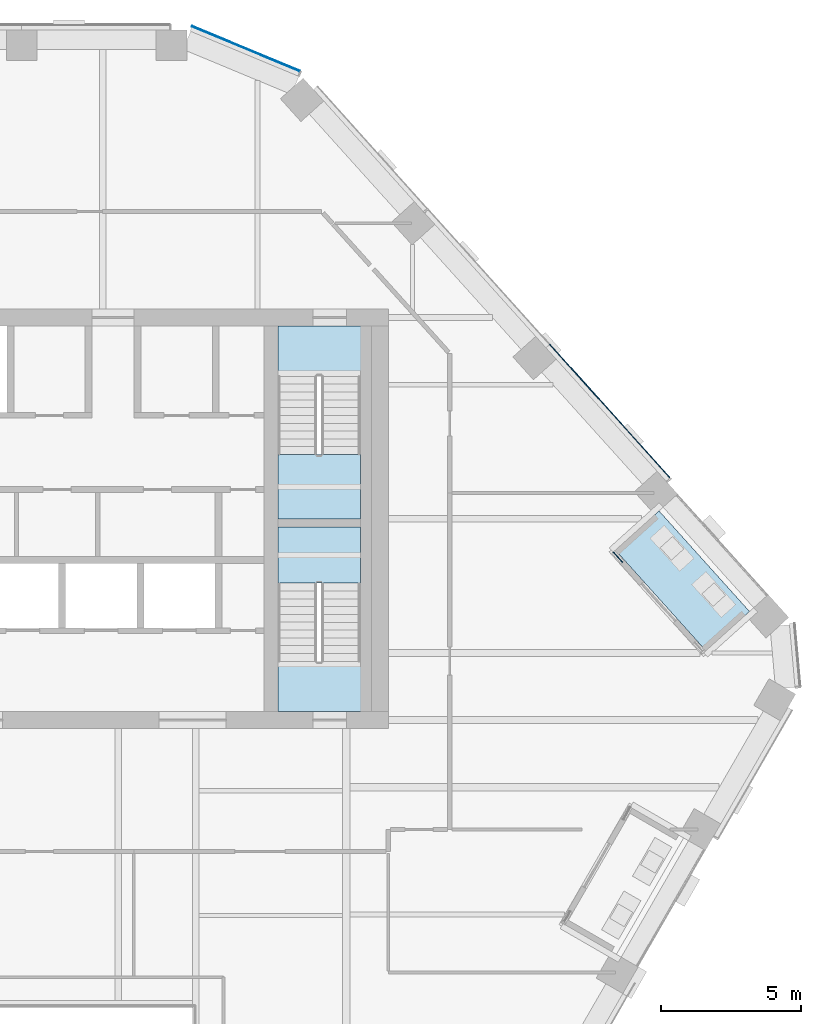
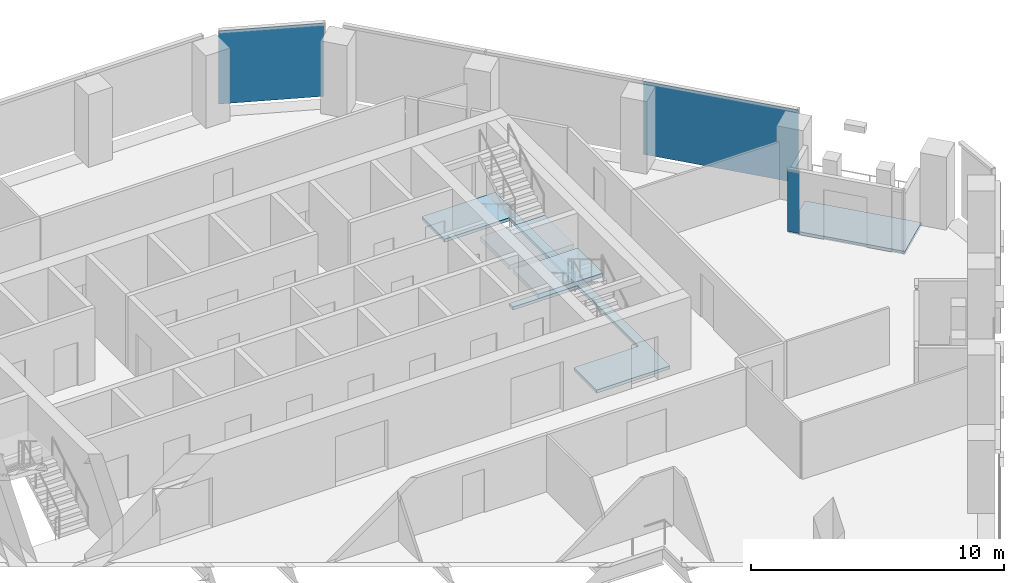
# One storey, part 15 of 25: 4 slabs, 3 plates, 5 elements without a shape of their own.
"""IFC4 building model written with IfcOpenShell, lengths in metres."""

import ifcopenshell
import ifcopenshell.guid

model = None  # the IFC model being written
_history = None  # IfcOwnerHistory: only IFC2X3 demands one
_inside = {}  # id of a spatial element -> (the spatial element, [elements in it])
_under = {}  # id of a project, library or spatial element -> (it, [spatial elements below it])
_declared = {}  # id of a project -> (the project, [libraries it declares])
_typed = {}  # id of a type object -> (the type object, [elements of that type])
_made_of = {}  # id of a material, layer set ... -> (it, [elements and type objects made of it])


def new_model(schema):
    """Start an empty IFC model of exactly this schema.

    Asked for "IFC4X3", IfcOpenShell would pick the latest addendum, in which some entities
    have other attributes; the version numbers below select the first issue.
    IFC2X3 requires an IfcOwnerHistory on every rooted entity: one is made here for all.
    """
    global model, _history
    if schema == "IFC4X3":
        model = ifcopenshell.file(schema_version=(4, 3, 0, 0))
    else:
        model = ifcopenshell.file(schema=schema)
    _inside.clear()
    _under.clear()
    _declared.clear()
    _typed.clear()
    _made_of.clear()
    _history = None
    if model.schema == "IFC2X3":
        org = make("IfcOrganization", Name="unknown")
        user = make(
            "IfcPersonAndOrganization",
            ThePerson=make("IfcPerson", FamilyName="unknown"),
            TheOrganization=org,
        )
        app = make(
            "IfcApplication",
            ApplicationDeveloper=org,
            Version="unknown",
            ApplicationFullName="unknown",
            ApplicationIdentifier="unknown",
        )
        _history = make(
            "IfcOwnerHistory",
            OwningUser=user,
            OwningApplication=app,
            ChangeAction="ADDED",
            CreationDate=0,
        )
    return model


def make(cls, **values):
    """One entity of the class cls with the attributes given. An attribute that is None is left unset."""
    return model.create_entity(
        cls, **{name: value for name, value in values.items() if value is not None}
    )


def rooted(cls, **values):
    """An entity with a GlobalId (a new one), such as an element, a storey or a relation."""
    return make(cls, GlobalId=ifcopenshell.guid.new(), OwnerHistory=_history, **values)


def si_unit(unit_type, name, prefix=None):
    """IfcSIUnit, for example si_unit("LENGTHUNIT", "METRE", prefix="MILLI")."""
    return make("IfcSIUnit", UnitType=unit_type, Prefix=prefix, Name=name)


def assignment(units):
    """IfcUnitAssignment: the units of a project."""
    return None if units is None else make("IfcUnitAssignment", Units=units)


def point(xyz):
    """IfcCartesianPoint."""
    return None if xyz is None else make("IfcCartesianPoint", Coordinates=xyz)


def direction(xyz):
    """IfcDirection."""
    return None if xyz is None else make("IfcDirection", DirectionRatios=xyz)


def frame(location, z_axis=None, x_axis=None):
    """IfcAxis2Placement3D, a coordinate frame: its origin and axes. An axis left out is left unset."""
    return make(
        "IfcAxis2Placement3D",
        Location=point(location),
        Axis=direction(z_axis),
        RefDirection=direction(x_axis),
    )


def frame_2d(location, x_axis=None):
    """IfcAxis2Placement2D, a coordinate frame in the plane: its origin and x axis."""
    return make(
        "IfcAxis2Placement2D", Location=point(location), RefDirection=direction(x_axis)
    )


def origin():
    """The frame at (0, 0, 0) with its axes left unset."""
    return frame((0.0, 0.0, 0.0))


def origin_2d():
    """The frame at (0, 0) in the plane with its x axis left unset."""
    return frame_2d((0.0, 0.0))


def place(relative_to, where):
    """IfcLocalPlacement: puts the frame where relative to a parent placement (None: the world)."""
    return make(
        "IfcLocalPlacement", PlacementRelTo=relative_to, RelativePlacement=where
    )


def context(
    kind, dimensions, precision=None, world=None, true_north=None, identifier=None
):
    """IfcGeometricRepresentationContext, for example the 3D "Model" context."""
    return make(
        "IfcGeometricRepresentationContext",
        ContextIdentifier=identifier,
        ContextType=kind,
        CoordinateSpaceDimension=dimensions,
        Precision=precision,
        WorldCoordinateSystem=world,
        TrueNorth=true_north,
    )


def subcontext(parent, identifier, kind, view, scale=None):
    """IfcGeometricRepresentationSubContext, for example "Body" below "Model"."""
    return make(
        "IfcGeometricRepresentationSubContext",
        ContextIdentifier=identifier,
        ContextType=kind,
        ParentContext=parent,
        TargetScale=scale,
        TargetView=view,
    )


def project(units=None, contexts=None):
    """IfcProject with its units and contexts."""
    return rooted(
        "IfcProject",
        Name="project",
        RepresentationContexts=contexts,
        UnitsInContext=assignment(units),
    )


def spatial(cls, under=None, at=None, **own):
    """A site, building, storey or space (cls), placed at a placement, below another one or the project."""
    s = rooted(cls, ObjectPlacement=at, **own)
    if under is not None:
        _under.setdefault(under.id(), (under, []))[1].append(s)
    return s


def polyline(points):
    """IfcPolyline through the points."""
    return make("IfcPolyline", Points=[point(p) for p in points])


def profile(cls, at=None, kind="AREA", **sizes):
    """A parametric profile (cls). Its sizes go by their IFC names, for example OverallWidth=200.0."""
    return make(cls, ProfileType=kind, Position=at, **sizes)


def rectangle(**sizes):
    """IfcRectangleProfileDef."""
    return profile("IfcRectangleProfileDef", **sizes)


def outline(outer, holes=None, kind="AREA"):
    """IfcArbitraryClosedProfileDef: a profile drawn as a closed curve; with holes, ...WithVoids."""
    if holes is None:
        return make("IfcArbitraryClosedProfileDef", ProfileType=kind, OuterCurve=outer)
    return make(
        "IfcArbitraryProfileDefWithVoids",
        ProfileType=kind,
        OuterCurve=outer,
        InnerCurves=holes,
    )


def extrude(swept, where, along, depth):
    """IfcExtrudedAreaSolid: the profile swept, set in the frame where, extruded along a direction by depth."""
    return make(
        "IfcExtrudedAreaSolid",
        SweptArea=swept,
        Position=where,
        ExtrudedDirection=direction(along),
        Depth=depth,
    )


def shape(context_of_items, identifier, shape_type, items):
    """IfcShapeRepresentation: the items that make up one representation, for example the "Body"."""
    return make(
        "IfcShapeRepresentation",
        ContextOfItems=context_of_items,
        RepresentationIdentifier=identifier,
        RepresentationType=shape_type,
        Items=items,
    )


def material(Name=None, Category=None):
    """IfcMaterial."""
    return make("IfcMaterial", Name=Name, Category=Category)


def layer(
    of_material, thickness, ventilated=None, Name=None, Category=None, Priority=None
):
    """IfcMaterialLayer: one layer of a wall or slab, of a material (None: an air gap)."""
    return make(
        "IfcMaterialLayer",
        Material=of_material,
        LayerThickness=thickness,
        IsVentilated=ventilated,
        Name=Name,
        Category=Category,
        Priority=Priority,
    )


def layer_set(layers, Name=None):
    """IfcMaterialLayerSet."""
    return make("IfcMaterialLayerSet", MaterialLayers=layers, LayerSetName=Name)


def made_of(thing, what):
    """Note that an element or type object is made of a material, layer set ...; save() writes the relation."""
    if what is not None:
        _made_of.setdefault(what.id(), (what, []))[1].append(thing)
    return thing


def type_object(cls, material=None, **own):
    """A type object (cls), such as IfcWallType, which elements share."""
    return made_of(rooted(cls, **own), material)


def element(
    cls,
    number,
    at=None,
    inside=None,
    cuts=None,
    type_object=None,
    material=None,
    context=None,
    identifier="Body",
    shape_type=None,
    held_by="IfcProductDefinitionShape",
    body=None,
    shapes=None,
    **own,
):
    """One element of the class cls, such as IfcWall. Its Tag is "e" and its number.

    at: its placement. inside: the storey or other place that contains it. cuts: it is an
    opening in that element (IfcRelVoidsElement). A single representation is given by context,
    identifier, shape_type and body (its items); several are given by shapes. held_by: the class
    of the entity that holds the representations. save() writes the other relations.
    """
    e = rooted(cls, Tag="e%d" % number, ObjectPlacement=at, **own)
    if body is not None:
        shapes = [shape(context, identifier, shape_type, body)]
    if shapes is not None:
        e.Representation = make(held_by, Representations=shapes)
    if inside is not None:
        _inside.setdefault(inside.id(), (inside, []))[1].append(e)
    if cuts is not None:
        rooted(
            "IfcRelVoidsElement", RelatingBuildingElement=cuts, RelatedOpeningElement=e
        )
    if type_object is not None:
        _typed.setdefault(type_object.id(), (type_object, []))[1].append(e)
    return made_of(e, material)


def aggregate(whole, parts):
    """IfcRelAggregates: a whole, such as a stair, and the parts it consists of."""
    return rooted("IfcRelAggregates", RelatingObject=whole, RelatedObjects=parts)


def save(model, path):
    """Write the relations noted so far, then the file.

    IfcRelAggregates (storeys below a building ...), IfcRelContainedInSpatialStructure (elements
    in a storey), IfcRelDefinesByType, IfcRelAssociatesMaterial and IfcRelDeclares: one each for
    every whole, place, type object, material and project.
    """
    for whole, parts in _under.values():
        aggregate(whole, parts)
    for where, things in _inside.values():
        rooted(
            "IfcRelContainedInSpatialStructure",
            RelatedElements=things,
            RelatingStructure=where,
        )
    for kind, things in _typed.values():
        rooted("IfcRelDefinesByType", RelatedObjects=things, RelatingType=kind)
    for what, things in _made_of.values():
        rooted("IfcRelAssociatesMaterial", RelatedObjects=things, RelatingMaterial=what)
    for by, libraries in _declared.values():
        rooted("IfcRelDeclares", RelatingContext=by, RelatedDefinitions=libraries)
    model.write(path)


model = new_model("IFC4")

# Units and contexts
model_context = context("Model", 3, precision=1e-05, world=origin(), true_north=direction((0.0, 1.0)))
body_context = subcontext(model_context, "Body", "Model", "MODEL_VIEW")
ifc_project = project(units=[si_unit("LENGTHUNIT", "METRE"), si_unit("AREAUNIT", "SQUARE_METRE"), si_unit("VOLUMEUNIT", "CUBIC_METRE"), si_unit("PLANEANGLEUNIT", "RADIAN"), si_unit("MASSUNIT", "GRAM", prefix="KILO")], contexts=[model_context])

# Site, building, storey
site_placement = place(None, origin())
site = spatial("IfcSite", under=ifc_project, at=site_placement, CompositionType="ELEMENT")
building_placement = place(site_placement, origin())
building = spatial("IfcBuilding", under=site, at=building_placement, Name="Isthmus Gate Tower", CompositionType="ELEMENT")
storey_placement = place(building_placement, frame((0.0, 0.0, 249.14990234375)))
storey = spatial("IfcBuildingStorey", under=building, at=storey_placement, Name="L63", CompositionType="ELEMENT", Elevation=249.14990234375)

# Slab
ifc_material_1 = material(Name="Concrete f'c 40 MPa", Category="concrete")
ifc_layer_1 = layer(ifc_material_1, 0.14990234375)
ifc_layer_set_1 = layer_set([ifc_layer_1], Name="CORE FLOOR SLAB 150")
slab_type_1 = type_object("IfcSlabType", Name="CORE FLOOR SLAB 150", PredefinedType="FLOOR", material=ifc_layer_set_1)
slab_1_placement = place(storey_placement, frame((0.0, 0.0, -0.14990234375)))
element("IfcSlab", 1, at=slab_1_placement, inside=storey, type_object=slab_type_1, Name="L63 core floor", PredefinedType="FLOOR", context=body_context, shape_type="SweptSolid", body=[
    extrude(outline(polyline([(11.050048828125, 14.39990234375), (11.050048828125, 12.597900390625), (14.0, 12.597900390625), (14.0, 7.5), (11.050048828125, 7.5), (11.050048828125, 7.199951171875), (14.0, 7.199951171875), (14.0, 2.402099609375), (11.050048828125, 2.402099609375), (11.050048828125, 0.60009765625), (14.39990234375, 0.60009765625), (14.39990234375, 14.39990234375), (11.050048828125, 14.39990234375)])), origin(), (0.0, 0.0, 1.0), 0.14990234375),
])

# Curtain wall, plate
ifc_material_2 = material(Name="Aluminium, pale champagne anodised", Category="aluminium")
ifc_layer_2 = layer(ifc_material_2, 0.199951171875)
ifc_layer_set_2 = layer_set([ifc_layer_2], Name="CW-1 UNITISED CURTAIN WALL 200 DEEP")
curtain_wall_type_1 = type_object("IfcCurtainWallType", Name="CW-1 UNITISED CURTAIN WALL 200 DEEP", PredefinedType="NOTDEFINED", material=ifc_layer_set_2)
curtain_wall_1_placement = place(storey_placement, origin())
curtain_wall_1 = element("IfcCurtainWall", 2, at=curtain_wall_1_placement, inside=storey, type_object=curtain_wall_type_1, Name="CW-1 NE L63", PredefinedType="NOTDEFINED")
ifc_material_3 = material(Name="Laminated low-iron glass, pale blue tint", Category="glass")
ifc_layer_3 = layer(ifc_material_3, 0.031982421875)
ifc_layer_set_3 = layer_set([ifc_layer_3], Name="CW-1 CLEAR GLASS LITE 32")
plate_type_1 = type_object("IfcPlateType", Name="CW-1 CLEAR GLASS LITE 32", PredefinedType="CURTAIN_PANEL", material=ifc_layer_set_3)
plate_1_placement = place(storey_placement, frame((22.930908203125, 11.353271484375, 0.0), z_axis=(0.0, 0.0, 1.0), x_axis=(-0.669130606359, 0.743144825477, 0.0)))
plate_1 = element("IfcPlate", 3, at=plate_1_placement, type_object=plate_type_1, Name="CW-1 glass lite", PredefinedType="CURTAIN_PANEL", context=body_context, shape_type="SweptSolid", body=[
    extrude(rectangle(XDim=6.431884765625, YDim=0.031982421875, at=origin_2d()), origin(), (0.0, 0.0, 1.0), 3.52001953125),
])
aggregate(curtain_wall_1, [plate_1])

curtain_wall_2_placement = place(storey_placement, origin())
curtain_wall_2 = element("IfcCurtainWall", 4, at=curtain_wall_2_placement, inside=storey, type_object=curtain_wall_type_1, Name="CW-1 NE-N L63", PredefinedType="NOTDEFINED")
plate_2_placement = place(storey_placement, frame((9.907470703125, 24.3193359375, 0.0), z_axis=(0.0, 0.0, 1.0), x_axis=(-0.923353128387, 0.383951820282, 0.0)))
plate_2 = element("IfcPlate", 5, at=plate_2_placement, type_object=plate_type_1, Name="CW-1 glass lite", PredefinedType="CURTAIN_PANEL", context=body_context, shape_type="SweptSolid", body=[
    extrude(rectangle(XDim=4.181396484375, YDim=0.031982421875, at=origin_2d()), origin(), (0.0, 0.0, 1.0), 3.52001953125),
])
aggregate(curtain_wall_2, [plate_2])

ifc_material_4 = material(Name="Aluminium, pale champagne anodised", Category="aluminium")
ifc_layer_4 = layer(ifc_material_4, 0.14990234375)
ifc_layer_set_4 = layer_set([ifc_layer_4], Name="CW-6 LOGGIA BACK WALL GLAZING 150 DEEP")
curtain_wall_type_2 = type_object("IfcCurtainWallType", Name="CW-6 LOGGIA BACK WALL GLAZING 150 DEEP", PredefinedType="NOTDEFINED", material=ifc_layer_set_4)
curtain_wall_3_placement = place(storey_placement, origin())
curtain_wall_3 = element("IfcCurtainWall", 6, at=curtain_wall_3_placement, inside=storey, type_object=curtain_wall_type_2, Name="CW-6 NE L63", PredefinedType="NOTDEFINED")
ifc_material_5 = material(Name="Laminated low-iron glass, clear", Category="glass")
ifc_layer_5 = layer(ifc_material_5, 0.031982421875)
ifc_layer_set_5 = layer_set([ifc_layer_5], Name="CW-6 CLEAR GLASS LITE 32")
plate_type_2 = type_object("IfcPlateType", Name="CW-6 CLEAR GLASS LITE 32", PredefinedType="CURTAIN_PANEL", material=ifc_layer_set_5)
plate_3_placement = place(storey_placement, frame((23.2177734375, 6.126708984375, 0.0), z_axis=(0.0, 0.0, 1.0), x_axis=(-0.669130606359, 0.743144825477, 0.0)))
plate_3 = element("IfcPlate", 7, at=plate_3_placement, type_object=plate_type_2, Name="CW-6 glass lite", PredefinedType="CURTAIN_PANEL", context=body_context, shape_type="SweptSolid", body=[
    extrude(rectangle(XDim=0.5, YDim=0.031982421875, at=origin_2d()), origin(), (0.0, 0.0, 1.0), 2.929931640625),
])
aggregate(curtain_wall_3, [plate_3])

# Slab
ifc_material_6 = material(Name="Concrete f'c 50 MPa", Category="concrete")
ifc_layer_6 = layer(ifc_material_6, 0.14990234375)
ifc_layer_set_6 = layer_set([ifc_layer_6], Name="LOGGIA FLOOR SLAB 150")
slab_type_2 = type_object("IfcSlabType", Name="LOGGIA FLOOR SLAB 150", PredefinedType="FLOOR", material=ifc_layer_set_6)
slab_2_placement = place(storey_placement, frame((0.0, 0.0, -0.14990234375)))
element("IfcSlab", 8, at=slab_2_placement, inside=storey, type_object=slab_type_2, Name="LOGGIA FLOOR", PredefinedType="FLOOR", context=body_context, shape_type="SweptSolid", body=[
    extrude(outline(polyline([(27.925048828125, 4.1865234375), (24.685302734375, 7.78466796875), (23.124755859375, 6.37939453125), (26.364501953125, 2.78125), (27.925048828125, 4.1865234375)])), origin(), (0.0, 0.0, 1.0), 0.14990234375),
])

# Stair, slab
ifc_material_7 = material(Name="Concrete f'c 40 MPa", Category="concrete")
stair_type = type_object("IfcStairType", Name="CORE STAIR 22 RISERS", PredefinedType="HALF_TURN_STAIR", material=ifc_material_7)
stair_1_placement = place(storey_placement, origin())
stair_1 = element("IfcStair", 9, at=stair_1_placement, inside=storey, type_object=stair_type, Name="L63 Exit Stair 2", PredefinedType="HALF_TURN_STAIR")
ifc_material_8 = material(Name="Concrete f'c 40 MPa", Category="concrete")
ifc_layer_7 = layer(ifc_material_8, 0.199951171875)
ifc_layer_set_7 = layer_set([ifc_layer_7])
slab_type_3 = type_object("IfcSlabType", Name="STAIR LANDING RC 200", PredefinedType="LANDING", material=ifc_layer_set_7)
slab_3_placement = place(storey_placement, frame((0.0, 0.0, 1.625)))
slab_3 = element("IfcSlab", 10, at=slab_3_placement, type_object=slab_type_3, Name="ST2 landing 1", PredefinedType="LANDING", context=body_context, shape_type="SweptSolid", body=[
    extrude(outline(polyline([(11.050048828125, 9.800048828125), (11.050048828125, 7.5), (14.0, 7.5), (14.0, 9.800048828125), (11.050048828125, 9.800048828125)])), origin(), (0.0, 0.0, 1.0), 0.2001953125),
])
aggregate(stair_1, [slab_3])

stair_2_placement = place(storey_placement, origin())
stair_2 = element("IfcStair", 11, at=stair_2_placement, inside=storey, type_object=stair_type, Name="L63 Exit Stair 8", PredefinedType="HALF_TURN_STAIR")
slab_4_placement = place(storey_placement, frame((0.0, 0.0, 1.625)))
slab_4 = element("IfcSlab", 12, at=slab_4_placement, type_object=slab_type_3, Name="ST8 landing 1", PredefinedType="LANDING", context=body_context, shape_type="SweptSolid", body=[
    extrude(outline(polyline([(14.0, 5.199951171875), (14.0, 7.199951171875), (11.050048828125, 7.199951171875), (11.050048828125, 5.199951171875), (14.0, 5.199951171875)])), origin(), (0.0, 0.0, 1.0), 0.2001953125),
])
aggregate(stair_2, [slab_4])

save(model, "model.ifc")
